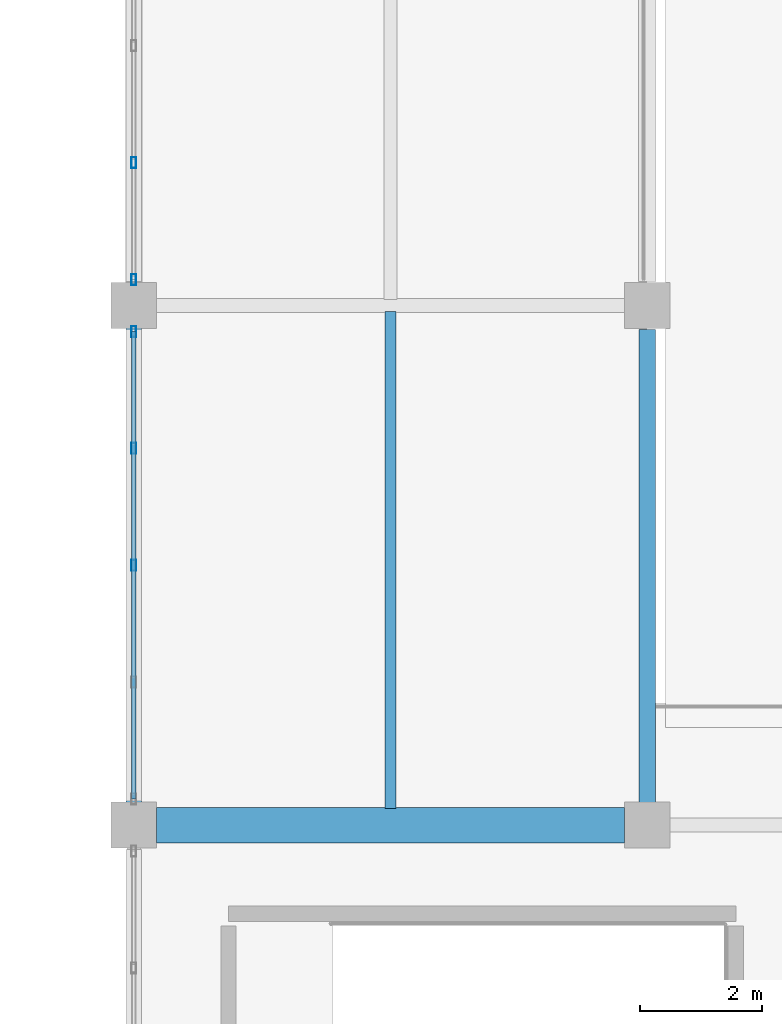
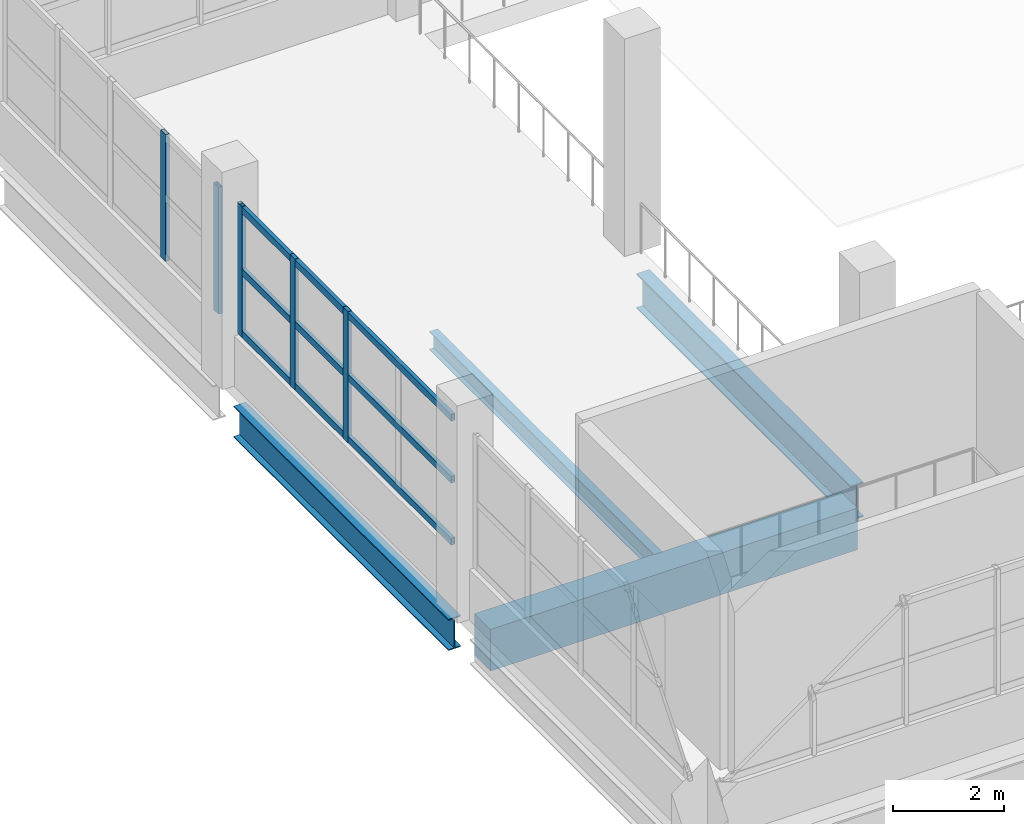
# One storey, part 27 of 77: 8 members, 4 beams, 2 elements without a shape of their own.
"""IFC4 building model written with IfcOpenShell, lengths in metres."""

from ifc_helpers import new_model, si_unit, direction, frame, origin, origin_2d, place, context, subcontext, project, spatial, rectangle, hollow_rectangle, i_section, extrude, material, material_profile, profile_set, type_object, element, aggregate, save


model = new_model("IFC4")

# Units and contexts
model_context = context("Model", 3, precision=1e-05, world=origin(), true_north=direction((0.0, 1.0)))
body_context = subcontext(model_context, "Body", "Model", "MODEL_VIEW")
ifc_project = project(units=[si_unit("LENGTHUNIT", "METRE"), si_unit("AREAUNIT", "SQUARE_METRE"), si_unit("VOLUMEUNIT", "CUBIC_METRE"), si_unit("PLANEANGLEUNIT", "RADIAN"), si_unit("MASSUNIT", "GRAM", prefix="KILO")], contexts=[model_context])

# Site, building, storey
site_placement = place(None, origin())
site = spatial("IfcSite", under=ifc_project, at=site_placement, CompositionType="ELEMENT")
building_placement = place(site_placement, origin())
building = spatial("IfcBuilding", under=site, at=building_placement, Name="Solvento Point Concert Hall", CompositionType="ELEMENT")
storey_placement = place(building_placement, frame((0.0, 0.0, 10.199951171875)))
storey = spatial("IfcBuildingStorey", under=building, at=storey_placement, Name="L02", CompositionType="ELEMENT", Elevation=10.199951171875)

# Beams
ifc_material_1 = material(Name="Concrete C35/45", Category="concrete")
ifc_material_profile_1 = material_profile(ifc_material_1, rectangle(XDim=0.580078125, YDim=0.919921875, at=origin_2d()), Name="RC-BM-580X920")
ifc_profile_set_1 = profile_set([ifc_material_profile_1], Name="Concrete C35/45")
beam_type_1 = type_object("IfcBeamType", Name="Girder_RC_580x920", PredefinedType="USERDEFINED", material=ifc_profile_set_1)
beam_1_placement = place(storey_placement, frame((150.368896484375, 8.5, -0.904052734375), z_axis=(1.0, 0.0, 0.0), x_axis=(0.0, 1.0, 0.0)))
element("IfcBeam", 1, at=beam_1_placement, inside=storey, type_object=beam_type_1, Name="Primary girder B-95 L02", ObjectType="GIRDER", PredefinedType="USERDEFINED", context=body_context, shape_type="SweptSolid", body=[
    extrude(rectangle(XDim=0.580078125, YDim=0.919921875, at=origin_2d()), origin(), (0.0, 0.0, 1.0), 7.662109375),
])
ifc_material_2 = material(Name="Structural Steel ASTM A992 Grade 50", Category="steel")
ifc_material_profile_2 = material_profile(ifc_material_2, i_section(OverallWidth=0.256103515625, OverallDepth=0.693115234375, WebThickness=0.014404296875, FlangeThickness=0.023681640625, at=origin_2d()), Name="W27X114")
ifc_profile_set_2 = profile_set([ifc_material_profile_2], Name="Structural Steel ASTM A992 Grade 50")
beam_type_2 = type_object("IfcBeamType", Name="Girder_W27X114", PredefinedType="USERDEFINED", material=ifc_profile_set_2)
beam_2_placement = place(storey_placement, frame((150.0, 8.868896484375, -0.79052734375), z_axis=(0.0, 1.0, 0.0), x_axis=(-1.0, 0.0, 0.0)))
element("IfcBeam", 2, at=beam_2_placement, inside=storey, type_object=beam_type_2, Name="Primary girder B-23 L02", ObjectType="GIRDER", PredefinedType="USERDEFINED", context=body_context, shape_type="SweptSolid", body=[
    extrude(i_section(OverallWidth=0.256103515625, OverallDepth=0.693115234375, WebThickness=0.014404296875, FlangeThickness=0.023681640625, at=origin_2d()), origin(), (0.0, 0.0, 1.0), 7.76220703125),
])
ifc_material_3 = material(Name="Structural Steel ASTM A992 Grade 50", Category="steel")
ifc_material_profile_3 = material_profile(ifc_material_3, i_section(OverallWidth=0.26806640625, OverallDepth=0.77001953125, WebThickness=0.015625, FlangeThickness=0.025390625, at=origin_2d()), Name="W30X132")
ifc_profile_set_3 = profile_set([ifc_material_profile_3], Name="Structural Steel ASTM A992 Grade 50")
beam_type_3 = type_object("IfcBeamType", Name="Girder_W30X132", PredefinedType="USERDEFINED", material=ifc_profile_set_3)
beam_3_placement = place(storey_placement, frame((158.39990234375, 8.868896484375, -0.828857421875), z_axis=(0.0, 1.0, 0.0), x_axis=(-1.0, 0.0, 0.0)))
element("IfcBeam", 3, at=beam_3_placement, inside=storey, type_object=beam_type_3, Name="Primary girder B-68 L02", ObjectType="GIRDER", PredefinedType="USERDEFINED", context=body_context, shape_type="SweptSolid", body=[
    extrude(i_section(OverallWidth=0.26806640625, OverallDepth=0.77001953125, WebThickness=0.015625, FlangeThickness=0.025390625, at=origin_2d()), origin(), (0.0, 0.0, 1.0), 7.737060546875),
])
ifc_material_4 = material(Name="Structural Steel ASTM A992 Grade 50", Category="steel")
ifc_material_profile_4 = material_profile(ifc_material_4, i_section(OverallWidth=0.177490234375, OverallDepth=0.403076171875, WebThickness=0.007568359375, FlangeThickness=0.010986328125, at=origin_2d()), Name="W16X36")
ifc_profile_set_4 = profile_set([ifc_material_profile_4], Name="Structural Steel ASTM A992 Grade 50")
beam_type_4 = type_object("IfcBeamType", Name="Joist_W16X36", PredefinedType="JOIST", material=ifc_profile_set_4)
beam_4_placement = place(storey_placement, frame((154.199951171875, 8.77490234375, -0.6455078125), z_axis=(0.0, 1.0, 0.0), x_axis=(-1.0, 0.0, 0.0)))
element("IfcBeam", 4, at=beam_4_placement, inside=storey, type_object=beam_type_4, Name="Secondary floor joist B-30 L02", PredefinedType="JOIST", context=body_context, shape_type="SweptSolid", body=[
    extrude(i_section(OverallWidth=0.177490234375, OverallDepth=0.403076171875, WebThickness=0.007568359375, FlangeThickness=0.010986328125, at=origin_2d()), origin(), (0.0, 0.0, 1.0), 8.1259765625),
])

# Curtain wall, members
ifc_material_5 = material(Name="Anodized Bronze Aluminium", Category="aluminium")
curtain_wall_type = type_object("IfcCurtainWallType", Name="CurtainWall_ChamberCircle", PredefinedType="USERDEFINED", material=ifc_material_5)
curtain_wall_1_placement = place(storey_placement, origin())
curtain_wall_1 = element("IfcCurtainWall", 5, at=curtain_wall_1_placement, inside=storey, type_object=curtain_wall_type, Name="Unitised curtain wall CW-32 UCW-L02-163", ObjectType="UNITISED CURTAIN WALL", PredefinedType="USERDEFINED")
ifc_material_6 = material(Name="Anodized Bronze Aluminium", Category="aluminium")
ifc_material_profile_5 = material_profile(ifc_material_6, hollow_rectangle(XDim=0.080078125, YDim=0.179931640625, WallThickness=0.00390625, at=origin_2d()), Name="CW-MUL-80X180")
ifc_profile_set_5 = profile_set([ifc_material_profile_5], Name="Anodized Bronze Aluminium")
member_type_1 = type_object("IfcMemberType", Name="Mullion_80x180", PredefinedType="MULLION", material=ifc_profile_set_5)
member_1_placement = place(storey_placement, frame((150.0, 12.75, 1.1201171875), z_axis=(0.0, 0.0, 1.0), x_axis=(1.0, 0.0, 0.0)))
member_1 = element("IfcMember", 6, at=member_1_placement, type_object=member_type_1, Name="Curtain wall mullion ML-01", PredefinedType="MULLION", context=body_context, shape_type="SweptSolid", body=[
    extrude(hollow_rectangle(XDim=0.080078125, YDim=0.179931640625, WallThickness=0.00390625, at=origin_2d()), origin(), (0.0, 0.0, 1.0), 2.89404296875),
])
member_2_placement = place(storey_placement, frame((150.0, 14.66259765625, 1.1201171875), z_axis=(0.0, 0.0, 1.0), x_axis=(1.0, 0.0, 0.0)))
member_2 = element("IfcMember", 7, at=member_2_placement, type_object=member_type_1, Name="Curtain wall mullion ML-01", PredefinedType="MULLION", context=body_context, shape_type="SweptSolid", body=[
    extrude(hollow_rectangle(XDim=0.080078125, YDim=0.179931640625, WallThickness=0.00390625, at=origin_2d()), origin(), (0.0, 0.0, 1.0), 2.89404296875),
])
member_3_placement = place(storey_placement, frame((150.0, 16.574951171875, 1.1201171875), z_axis=(0.0, 0.0, 1.0), x_axis=(1.0, 0.0, 0.0)))
member_3 = element("IfcMember", 8, at=member_3_placement, type_object=member_type_1, Name="Curtain wall mullion ML-01", PredefinedType="MULLION", context=body_context, shape_type="SweptSolid", body=[
    extrude(hollow_rectangle(XDim=0.080078125, YDim=0.179931640625, WallThickness=0.00390625, at=origin_2d()), origin(), (0.0, 0.0, 1.0), 2.89404296875),
])

curtain_wall_2_placement = place(storey_placement, origin())
curtain_wall_2 = element("IfcCurtainWall", 9, at=curtain_wall_2_placement, inside=storey, type_object=curtain_wall_type, Name="Unitised curtain wall CW-32 UCW-L02-164", ObjectType="UNITISED CURTAIN WALL", PredefinedType="USERDEFINED")
member_4_placement = place(storey_placement, frame((150.0, 17.425048828125, 1.1201171875), z_axis=(0.0, 0.0, 1.0), x_axis=(1.0, 0.0, 0.0)))
member_4 = element("IfcMember", 10, at=member_4_placement, type_object=member_type_1, Name="Curtain wall mullion ML-01", PredefinedType="MULLION", context=body_context, shape_type="SweptSolid", body=[
    extrude(hollow_rectangle(XDim=0.080078125, YDim=0.179931640625, WallThickness=0.00390625, at=origin_2d()), origin(), (0.0, 0.0, 1.0), 2.804931640625),
])
member_5_placement = place(storey_placement, frame((150.0, 19.33740234375, 1.1201171875), z_axis=(0.0, 0.0, 1.0), x_axis=(1.0, 0.0, 0.0)))
member_5 = element("IfcMember", 11, at=member_5_placement, type_object=member_type_1, Name="Curtain wall mullion ML-01", PredefinedType="MULLION", context=body_context, shape_type="SweptSolid", body=[
    extrude(hollow_rectangle(XDim=0.080078125, YDim=0.179931640625, WallThickness=0.00390625, at=origin_2d()), origin(), (0.0, 0.0, 1.0), 2.804931640625),
])
aggregate(curtain_wall_2, [member_4, member_5])

# Member
ifc_material_7 = material(Name="Anodized Bronze Aluminium", Category="aluminium")
ifc_material_profile_6 = material_profile(ifc_material_7, hollow_rectangle(XDim=0.080078125, YDim=0.14990234375, WallThickness=0.00390625, at=origin_2d()), Name="CW-TRN-80X150")
ifc_profile_set_6 = profile_set([ifc_material_profile_6], Name="Anodized Bronze Aluminium")
member_type_2 = type_object("IfcMemberType", Name="Transom_80x150", PredefinedType="USERDEFINED", material=ifc_profile_set_6)
member_6_placement = place(storey_placement, frame((150.0, 8.925048828125, 1.199951171875), z_axis=(0.0, 1.0, 0.0), x_axis=(-1.0, 0.0, 0.0)))
member_6 = element("IfcMember", 12, at=member_6_placement, type_object=member_type_2, Name="Curtain wall transom TR-01", ObjectType="TRANSOM", PredefinedType="USERDEFINED", context=body_context, shape_type="SweptSolid", body=[
    extrude(hollow_rectangle(XDim=0.080078125, YDim=0.14990234375, WallThickness=0.00390625, at=origin_2d()), origin(), (0.0, 0.0, 1.0), 7.64990234375),
])

member_7_placement = place(storey_placement, frame((150.0, 8.925048828125, 2.567138671875), z_axis=(0.0, 1.0, 0.0), x_axis=(-1.0, 0.0, 0.0)))
member_7 = element("IfcMember", 13, at=member_7_placement, type_object=member_type_2, Name="Curtain wall transom TR-01", ObjectType="TRANSOM", PredefinedType="USERDEFINED", context=body_context, shape_type="SweptSolid", body=[
    extrude(hollow_rectangle(XDim=0.080078125, YDim=0.14990234375, WallThickness=0.00390625, at=origin_2d()), origin(), (0.0, 0.0, 1.0), 7.64990234375),
])

member_8_placement = place(storey_placement, frame((150.0, 8.925048828125, 3.93408203125), z_axis=(0.0, 1.0, 0.0), x_axis=(-1.0, 0.0, 0.0)))
member_8 = element("IfcMember", 14, at=member_8_placement, type_object=member_type_2, Name="Curtain wall transom TR-01", ObjectType="TRANSOM", PredefinedType="USERDEFINED", context=body_context, shape_type="SweptSolid", body=[
    extrude(hollow_rectangle(XDim=0.080078125, YDim=0.14990234375, WallThickness=0.00390625, at=origin_2d()), origin(), (0.0, 0.0, 1.0), 7.64990234375),
])

aggregate(curtain_wall_1, [member_1, member_2, member_3, member_6, member_7, member_8])

save(model, "model.ifc")
